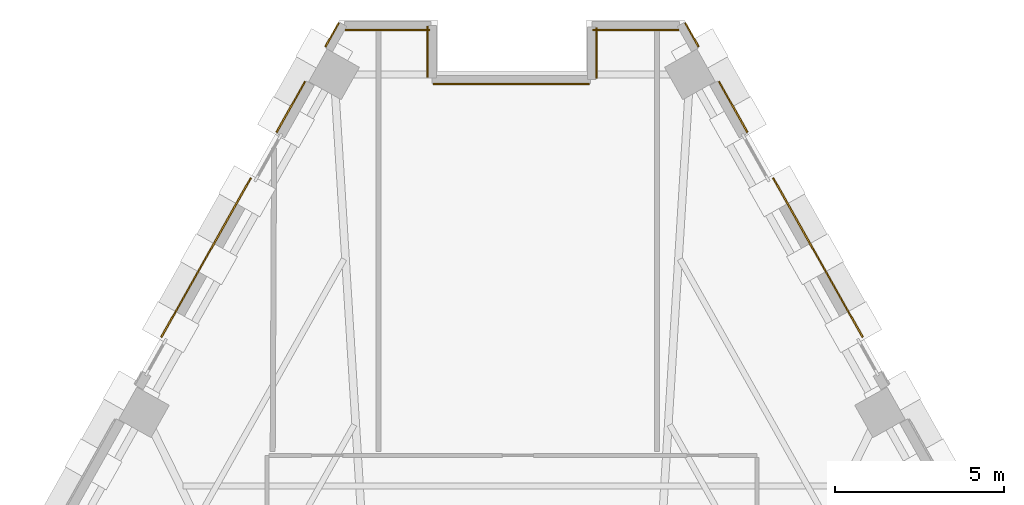
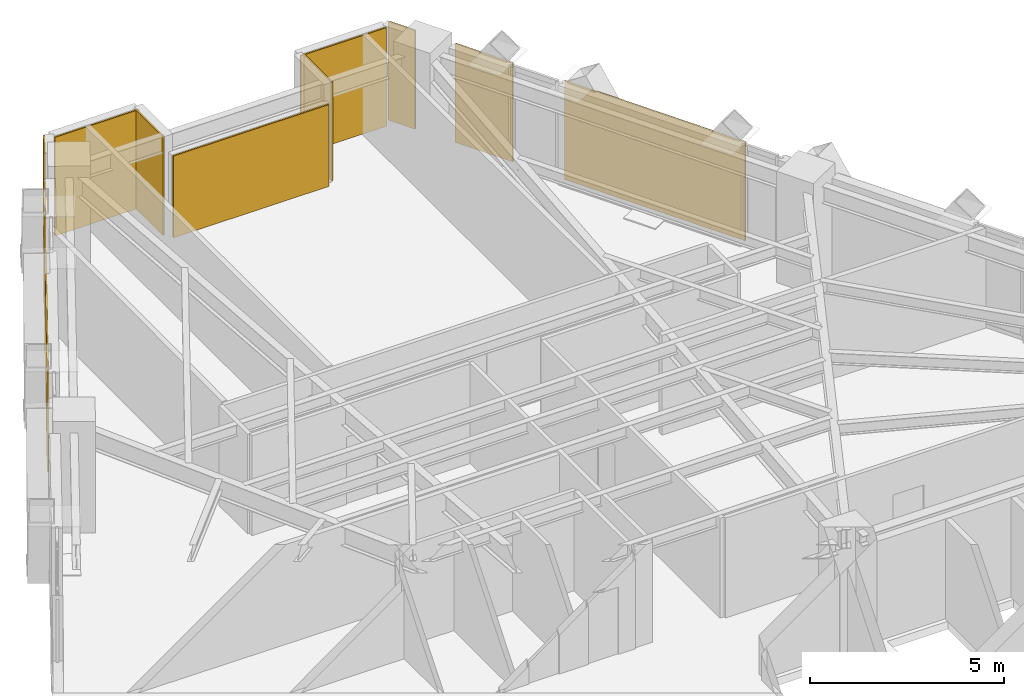
# One storey, part 13 of 13: 11 coverings.
"""IFC4 building model written with IfcOpenShell, lengths in metres."""

from ifc_helpers import new_model, si_unit, direction, frame, origin, place, context, subcontext, project, spatial, polyline, outline, extrude, material, layer, layer_set, type_object, element, save


model = new_model("IFC4")

# Units and contexts
model_context = context("Model", 3, precision=1e-05, world=origin(), true_north=direction((0.0, 1.0)))
body_context = subcontext(model_context, "Body", "Model", "MODEL_VIEW")
ifc_project = project(units=[si_unit("LENGTHUNIT", "METRE"), si_unit("AREAUNIT", "SQUARE_METRE"), si_unit("VOLUMEUNIT", "CUBIC_METRE"), si_unit("PLANEANGLEUNIT", "RADIAN"), si_unit("MASSUNIT", "GRAM", prefix="KILO")], contexts=[model_context])

# Site, building, storey
site_placement = place(None, origin())
site = spatial("IfcSite", under=ifc_project, at=site_placement, CompositionType="ELEMENT")
building_placement = place(site_placement, origin())
building = spatial("IfcBuilding", under=site, at=building_placement, Name="Quenlor Broadcast Tower", CompositionType="ELEMENT")
storey_placement = place(building_placement, frame((0.0, 0.0, 87.10009765625)))
storey = spatial("IfcBuildingStorey", under=building, at=storey_placement, Name="L23", CompositionType="ELEMENT", Elevation=87.10009765625)

# Coverings
ifc_material = material(Name="Architectural Terracotta Ceramic", Category="masonry")
ifc_layer = layer(ifc_material, 0.044921875)
ifc_layer_set = layer_set([ifc_layer], Name="Fluted Terracotta Rainscreen Cladding Panel")
covering_type = type_object("IfcCoveringType", Name="Fluted Terracotta Rainscreen Cladding Panel", PredefinedType="CLADDING", material=ifc_layer_set)
covering_1_placement = place(storey_placement, frame((0.0, 0.0, 0.02001953125)))
element("IfcCovering", 1, at=covering_1_placement, inside=storey, type_object=covering_type, Name="L23 Terracotta Rainscreen Cladding L23-SHD-NES0", PredefinedType="CLADDING", context=body_context, shape_type="SweptSolid", body=[
    extrude(outline(polyline([(5.105224609375, 21.22607421875), (5.5, 20.524169921875), (5.539306640625, 20.546142578125), (5.144287109375, 21.248046875), (5.105224609375, 21.22607421875)])), origin(), (0.0, 0.0, 1.0), 3.099853515625),
])
covering_2_placement = place(storey_placement, frame((0.0, 0.0, 0.02001953125)))
element("IfcCovering", 2, at=covering_2_placement, inside=storey, type_object=covering_type, Name="L23 Terracotta Rainscreen Cladding L23-NEA-SP1", PredefinedType="CLADDING", context=body_context, shape_type="SweptSolid", body=[
    extrude(outline(polyline([(6.10107421875, 19.496826171875), (6.944091796875, 17.997802734375), (6.9833984375, 18.02001953125), (6.14013671875, 19.518798828125), (6.10107421875, 19.496826171875)])), origin(), (0.0, 0.0, 1.0), 3.099853515625),
])
covering_3_placement = place(storey_placement, frame((0.0, 0.0, 0.02001953125)))
element("IfcCovering", 3, at=covering_3_placement, inside=storey, type_object=covering_type, Name="L23 Terracotta Rainscreen Cladding L23-NEA-SP2", PredefinedType="CLADDING", context=body_context, shape_type="SweptSolid", body=[
    extrude(outline(polyline([(7.70458984375, 16.645751953125), (10.357177734375, 11.93017578125), (10.396484375, 11.9521484375), (7.743896484375, 16.667724609375), (7.70458984375, 16.645751953125)])), origin(), (0.0, 0.0, 1.0), 3.099853515625),
])
covering_4_placement = place(storey_placement, frame((0.0, 0.0, 0.02001953125)))
element("IfcCovering", 4, at=covering_4_placement, inside=storey, type_object=covering_type, Name="L23 Terracotta Rainscreen Cladding L23-SHD-NWS1", PredefinedType="CLADDING", context=body_context, shape_type="SweptSolid", body=[
    extrude(outline(polyline([(-5.5, 20.524169921875), (-5.105224609375, 21.22607421875), (-5.144287109375, 21.248046875), (-5.539306640625, 20.546142578125), (-5.5, 20.524169921875)])), origin(), (0.0, 0.0, 1.0), 3.099853515625),
])
covering_5_placement = place(storey_placement, frame((0.0, 0.0, 0.02001953125)))
element("IfcCovering", 5, at=covering_5_placement, inside=storey, type_object=covering_type, Name="L23 Terracotta Rainscreen Cladding L23-NWC-SP2", PredefinedType="CLADDING", context=body_context, shape_type="SweptSolid", body=[
    extrude(outline(polyline([(-10.357177734375, 11.93017578125), (-7.70458984375, 16.645751953125), (-7.743896484375, 16.667724609375), (-10.396484375, 11.9521484375), (-10.357177734375, 11.93017578125)])), origin(), (0.0, 0.0, 1.0), 3.099853515625),
])
covering_6_placement = place(storey_placement, frame((0.0, 0.0, 0.02001953125)))
element("IfcCovering", 6, at=covering_6_placement, inside=storey, type_object=covering_type, Name="L23 Terracotta Rainscreen Cladding L23-NWC-SP3", PredefinedType="CLADDING", context=body_context, shape_type="SweptSolid", body=[
    extrude(outline(polyline([(-6.944091796875, 17.997802734375), (-6.10107421875, 19.496826171875), (-6.14013671875, 19.518798828125), (-6.9833984375, 18.02001953125), (-6.944091796875, 17.997802734375)])), origin(), (0.0, 0.0, 1.0), 3.099853515625),
])
covering_7_placement = place(storey_placement, frame((0.0, 0.0, 0.02001953125)))
element("IfcCovering", 7, at=covering_7_placement, inside=storey, type_object=covering_type, Name="L23 Terracotta Rainscreen Cladding L23-CNR-06", PredefinedType="CLADDING", context=body_context, shape_type="SweptSolid", body=[
    extrude(outline(polyline([(4.929443359375, 21.055908203125), (2.389892578125, 21.055908203125), (2.389892578125, 21.010986328125), (4.929443359375, 21.010986328125), (4.929443359375, 21.055908203125)])), origin(), (0.0, 0.0, 1.0), 3.099853515625),
])
covering_8_placement = place(storey_placement, frame((0.0, 0.0, 0.02001953125)))
element("IfcCovering", 8, at=covering_8_placement, inside=storey, type_object=covering_type, Name="L23 Terracotta Rainscreen Cladding L23-CNR-07", PredefinedType="CLADDING", context=body_context, shape_type="SweptSolid", body=[
    extrude(outline(polyline([(2.471923828125, 21.097900390625), (2.471923828125, 19.597900390625), (2.51708984375, 19.597900390625), (2.51708984375, 21.097900390625), (2.471923828125, 21.097900390625)])), origin(), (0.0, 0.0, 1.0), 3.099853515625),
])
covering_9_placement = place(storey_placement, frame((0.0, 0.0, 0.02001953125)))
element("IfcCovering", 9, at=covering_9_placement, inside=storey, type_object=covering_type, Name="L23 Terracotta Rainscreen Cladding L23-CNR-08", PredefinedType="CLADDING", context=body_context, shape_type="SweptSolid", body=[
    extrude(outline(polyline([(2.2900390625, 19.4560546875), (-2.330078125, 19.4560546875), (-2.330078125, 19.410888671875), (2.2900390625, 19.410888671875), (2.2900390625, 19.4560546875)])), origin(), (0.0, 0.0, 1.0), 2.57177734375),
])
covering_10_placement = place(storey_placement, frame((0.0, 0.0, 0.02001953125)))
element("IfcCovering", 10, at=covering_10_placement, inside=storey, type_object=covering_type, Name="L23 Terracotta Rainscreen Cladding L23-CNR-09", PredefinedType="CLADDING", context=body_context, shape_type="SweptSolid", body=[
    extrude(outline(polyline([(-2.471923828125, 19.637939453125), (-2.471923828125, 21.137939453125), (-2.51708984375, 21.137939453125), (-2.51708984375, 19.637939453125), (-2.471923828125, 19.637939453125)])), origin(), (0.0, 0.0, 1.0), 3.099853515625),
])
covering_11_placement = place(storey_placement, frame((0.0, 0.0, 0.02001953125)))
element("IfcCovering", 11, at=covering_11_placement, inside=storey, type_object=covering_type, Name="L23 Terracotta Rainscreen Cladding L23-CNR-10", PredefinedType="CLADDING", context=body_context, shape_type="SweptSolid", body=[
    extrude(outline(polyline([(-2.429931640625, 21.055908203125), (-4.929443359375, 21.055908203125), (-4.929443359375, 21.010986328125), (-2.429931640625, 21.010986328125), (-2.429931640625, 21.055908203125)])), origin(), (0.0, 0.0, 1.0), 3.099853515625),
])

save(model, "model.ifc")
